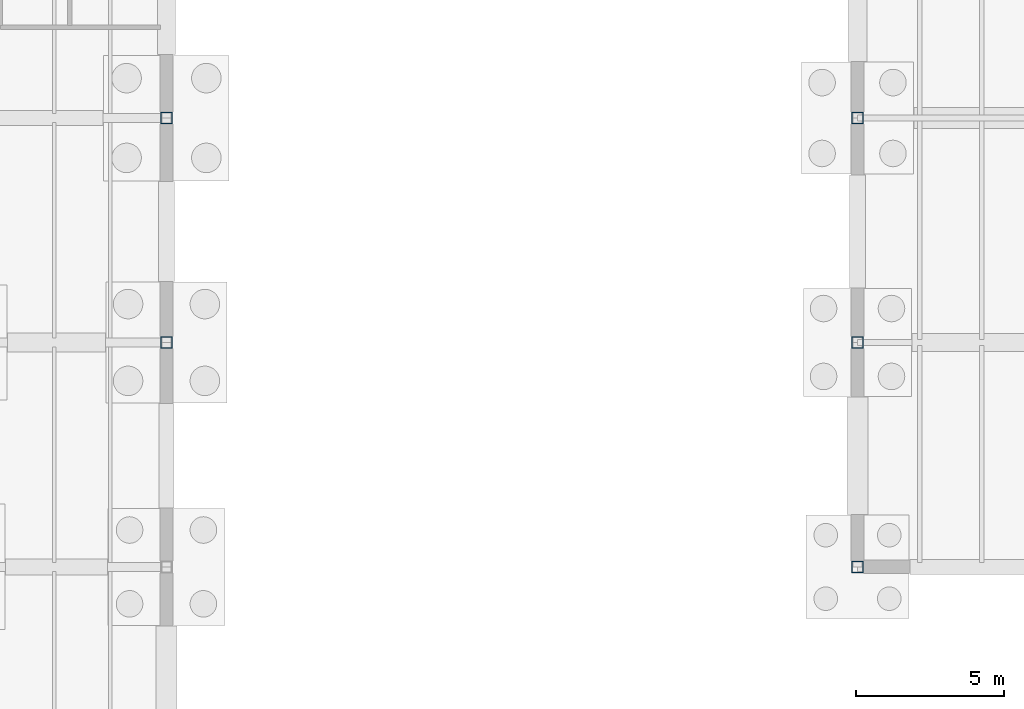
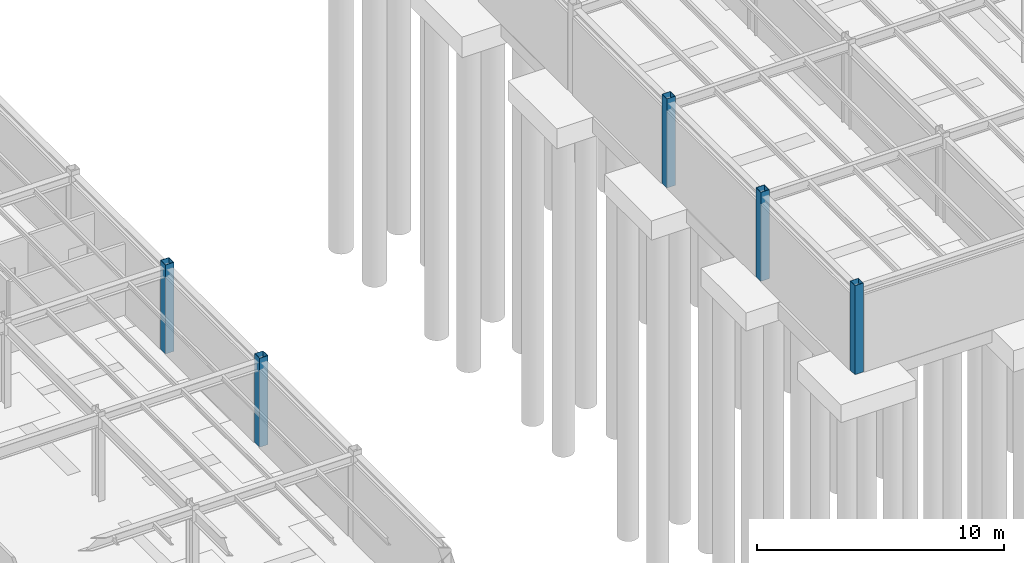
# One storey, part 12 of 33: 5 columns.
"""IFC4 building model written with IfcOpenShell, lengths in metres."""

from ifc_helpers import new_model, si_unit, direction, frame, origin, origin_2d, place, context, subcontext, project, spatial, hollow_rectangle, extrude, material, material_profile, profile_set, type_object, element, save


model = new_model("IFC4")

# Units and contexts
model_context = context("Model", 3, precision=1e-05, world=origin(), true_north=direction((0.0, 1.0)))
body_context = subcontext(model_context, "Body", "Model", "MODEL_VIEW")
ifc_project = project(units=[si_unit("LENGTHUNIT", "METRE"), si_unit("AREAUNIT", "SQUARE_METRE"), si_unit("VOLUMEUNIT", "CUBIC_METRE"), si_unit("PLANEANGLEUNIT", "RADIAN"), si_unit("MASSUNIT", "GRAM", prefix="KILO")], contexts=[model_context])

# Site, building, storey
site_placement = place(None, origin())
site = spatial("IfcSite", under=ifc_project, at=site_placement, CompositionType="ELEMENT")
building_placement = place(site_placement, origin())
building = spatial("IfcBuilding", under=site, at=building_placement, Name="Montecoro Central Library", CompositionType="ELEMENT")
storey_placement = place(building_placement, frame((0.0, 0.0, -4.419921875)))
storey = spatial("IfcBuildingStorey", under=building, at=storey_placement, Name="B1", CompositionType="ELEMENT", Elevation=-4.419921875)

# Columns
ifc_material = material(Name="Steel S355J2", Category="steel")
ifc_material_profile = material_profile(ifc_material, hollow_rectangle(XDim=0.39990234375, YDim=0.39990234375, WallThickness=0.01611328125, at=origin_2d()), Name="SHS 400x400x16.0")
ifc_profile_set = profile_set([ifc_material_profile], Name="Steel S355J2")
column_type = type_object("IfcColumnType", Name="COL-SHS400", PredefinedType="COLUMN", material=ifc_profile_set)
for number, where, z_axis, x_axis, name in (
    (1, (66.39990234375, 81.0, 0.0), (0.0, 0.0, 1.0), (1.0, 0.0, 0.0), "V2-B1-COL-9-L"),
    (2, (66.39990234375, 88.60009765625, 0.0), (0.0, 0.0, 1.0), (1.0, 0.0, 0.0), "V2-B1-COL-9-M"),
    (3, (66.39990234375, 96.199951171875, 0.0), (0.0, 0.0, 1.0), (1.0, 0.0, 0.0), "V2-B1-COL-9-N"),
    (4, (43.0, 88.60009765625, 0.0), (0.0, 0.0, 1.0), (1.0, 0.0, 0.0), "V4-B1-COL-6-M"),
    (5, (43.0, 96.199951171875, 0.0), (0.0, 0.0, 1.0), (1.0, 0.0, 0.0), "V4-B1-COL-6-N"),
):
    element("IfcColumn", number, at=place(storey_placement, frame(where, z_axis=z_axis, x_axis=x_axis)), inside=storey, type_object=column_type, Name=name, PredefinedType="COLUMN", context=body_context, shape_type="SweptSolid", body=[
        extrude(hollow_rectangle(XDim=0.39990234375, YDim=0.39990234375, WallThickness=0.01611328125, at=origin_2d()), origin(), (0.0, 0.0, 1.0), 4.39501953125),
    ])

save(model, "model.ifc")
